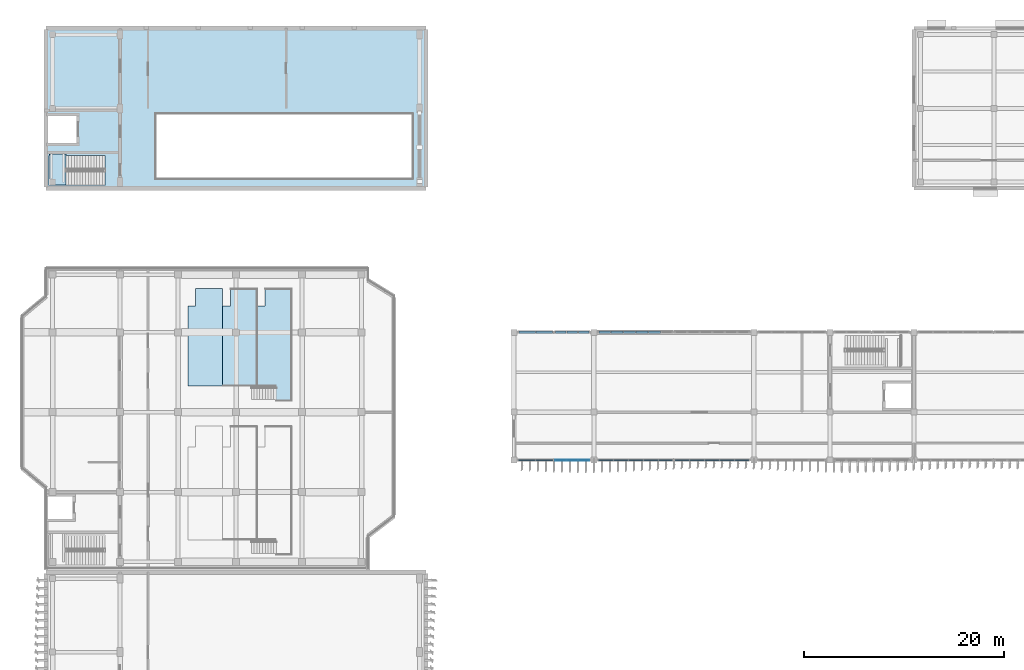
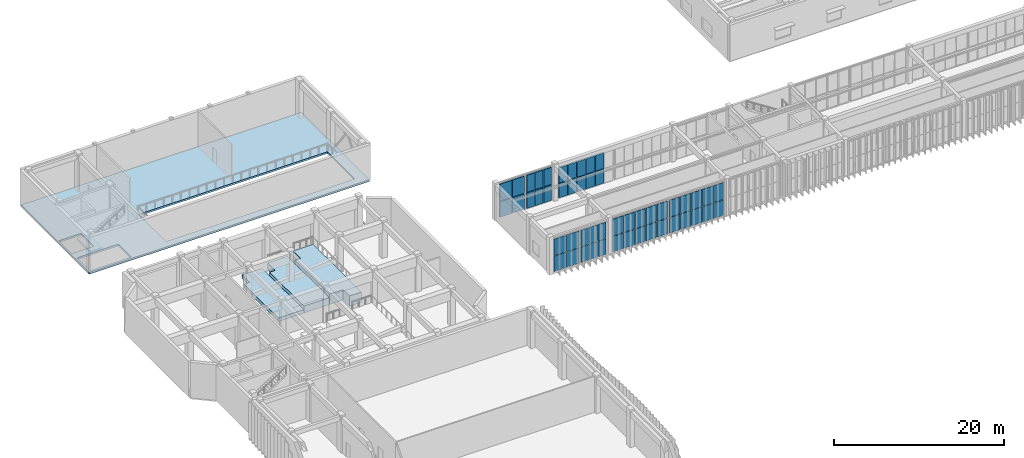
# One storey, part 29 of 64: 50 plates, 5 slabs, 8 elements without a shape of their own.
"""IFC4 building model written with IfcOpenShell, lengths in metres."""

from ifc_helpers import new_model, si_unit, direction, frame, origin, origin_2d, place, context, subcontext, project, spatial, polyline, rectangle, outline, extrude, material, layer, layer_set, type_object, element, aggregate, save


model = new_model("IFC4")

# Units and contexts
model_context = context("Model", 3, precision=1e-05, world=origin(), true_north=direction((0.0, 1.0)))
body_context = subcontext(model_context, "Body", "Model", "MODEL_VIEW")
ifc_project = project(units=[si_unit("LENGTHUNIT", "METRE"), si_unit("AREAUNIT", "SQUARE_METRE"), si_unit("VOLUMEUNIT", "CUBIC_METRE"), si_unit("PLANEANGLEUNIT", "RADIAN"), si_unit("MASSUNIT", "GRAM", prefix="KILO")], contexts=[model_context])

# Site, building, storey
site_placement = place(None, origin())
site = spatial("IfcSite", under=ifc_project, at=site_placement, CompositionType="ELEMENT")
building_placement = place(site_placement, origin())
building = spatial("IfcBuilding", under=site, at=building_placement, Name="Cinchona Park Media Centre", CompositionType="ELEMENT")
storey_placement = place(building_placement, frame((0.0, 0.0, 10.199951171875)))
storey = spatial("IfcBuildingStorey", under=building, at=storey_placement, Name="L02", CompositionType="ELEMENT", Elevation=10.199951171875)

# Curtain wall, plates
ifc_material_1 = material(Name="Aluminium Curtain Wall Framing", Category="aluminium")
ifc_layer_1 = layer(ifc_material_1, 0.22509765625)
ifc_layer_set_1 = layer_set([ifc_layer_1], Name="Aluminium Curtain Wall Framing")
curtain_wall_type_1 = type_object("IfcCurtainWallType", Name="CW-CW04", PredefinedType="USERDEFINED", material=ifc_layer_set_1)
curtain_wall_1_placement = place(storey_placement, origin())
curtain_wall_1 = element("IfcCurtainWall", 1, at=curtain_wall_1_placement, inside=storey, type_object=curtain_wall_type_1, Name="Curtain Wall CW04 L02", ObjectType="UNITISED CURTAIN WALL", PredefinedType="USERDEFINED")
ifc_material_2 = material(Name="Laminated Solar-Control Double Glazing", Category="glass")
ifc_layer_2 = layer(ifc_material_2, 0.080078125)
ifc_layer_set_2 = layer_set([ifc_layer_2], Name="Laminated Solar-Control Double Glazing")
plate_type_1 = type_object("IfcPlateType", Name="CWPANEL-PNL07", PredefinedType="CURTAIN_PANEL", material=ifc_layer_set_2)
plate_1_placement = place(storey_placement, frame((61.780517578125, 74.800048828125, 0.115234375), z_axis=(0.0, 0.0, 1.0), x_axis=(-1.0, 0.0, 0.0)))
plate_1 = element("IfcPlate", 2, at=plate_1_placement, type_object=plate_type_1, Name="CW04 panel 1.1", PredefinedType="CURTAIN_PANEL", context=body_context, shape_type="SweptSolid", body=[
    extrude(rectangle(XDim=1.069091796875, YDim=0.080078125, at=origin_2d()), origin(), (0.0, 0.0, 1.0), 2.181396484375),
])
plate_2_placement = place(storey_placement, frame((61.780517578125, 74.800048828125, 2.361572265625), z_axis=(0.0, 0.0, 1.0), x_axis=(-1.0, 0.0, 0.0)))
plate_2 = element("IfcPlate", 3, at=plate_2_placement, type_object=plate_type_1, Name="CW04 panel 1.2", PredefinedType="CURTAIN_PANEL", context=body_context, shape_type="SweptSolid", body=[
    extrude(rectangle(XDim=1.069091796875, YDim=0.080078125, at=origin_2d()), origin(), (0.0, 0.0, 1.0), 2.37060546875),
])
plate_3_placement = place(storey_placement, frame((60.6298828125, 74.800048828125, 0.115234375), z_axis=(0.0, 0.0, 1.0), x_axis=(-1.0, 0.0, 0.0)))
plate_3 = element("IfcPlate", 4, at=plate_3_placement, type_object=plate_type_1, Name="CW04 panel 2.1", PredefinedType="CURTAIN_PANEL", context=body_context, shape_type="SweptSolid", body=[
    extrude(rectangle(XDim=1.1015625, YDim=0.080078125, at=origin_2d()), origin(), (0.0, 0.0, 1.0), 2.181396484375),
])
plate_4_placement = place(storey_placement, frame((60.6298828125, 74.800048828125, 2.361572265625), z_axis=(0.0, 0.0, 1.0), x_axis=(-1.0, 0.0, 0.0)))
plate_4 = element("IfcPlate", 5, at=plate_4_placement, type_object=plate_type_1, Name="CW04 panel 2.2", PredefinedType="CURTAIN_PANEL", context=body_context, shape_type="SweptSolid", body=[
    extrude(rectangle(XDim=1.1015625, YDim=0.080078125, at=origin_2d()), origin(), (0.0, 0.0, 1.0), 2.37060546875),
])
plate_5_placement = place(storey_placement, frame((59.4794921875, 74.800048828125, 0.115234375), z_axis=(0.0, 0.0, 1.0), x_axis=(-1.0, 0.0, 0.0)))
plate_5 = element("IfcPlate", 6, at=plate_5_placement, type_object=plate_type_1, Name="CW04 panel 3.1", PredefinedType="CURTAIN_PANEL", context=body_context, shape_type="SweptSolid", body=[
    extrude(rectangle(XDim=1.069091796875, YDim=0.080078125, at=origin_2d()), origin(), (0.0, 0.0, 1.0), 2.181396484375),
])
plate_6_placement = place(storey_placement, frame((59.4794921875, 74.800048828125, 2.361572265625), z_axis=(0.0, 0.0, 1.0), x_axis=(-1.0, 0.0, 0.0)))
plate_6 = element("IfcPlate", 7, at=plate_6_placement, type_object=plate_type_1, Name="CW04 panel 3.2", PredefinedType="CURTAIN_PANEL", context=body_context, shape_type="SweptSolid", body=[
    extrude(rectangle(XDim=1.069091796875, YDim=0.080078125, at=origin_2d()), origin(), (0.0, 0.0, 1.0), 2.37060546875),
])
aggregate(curtain_wall_1, [plate_1, plate_2, plate_3, plate_4, plate_5, plate_6])

ifc_material_3 = material(Name="Aluminium Curtain Wall Framing", Category="aluminium")
ifc_layer_3 = layer(ifc_material_3, 0.239990234375)
ifc_layer_set_3 = layer_set([ifc_layer_3], Name="Aluminium Curtain Wall Framing")
curtain_wall_type_2 = type_object("IfcCurtainWallType", Name="CW-CW05", PredefinedType="USERDEFINED", material=ifc_layer_set_3)
curtain_wall_2_placement = place(storey_placement, origin())
curtain_wall_2 = element("IfcCurtainWall", 8, at=curtain_wall_2_placement, inside=storey, type_object=curtain_wall_type_2, Name="Curtain Wall CW05 L02", ObjectType="UNITISED CURTAIN WALL", PredefinedType="USERDEFINED")
ifc_material_4 = material(Name="Insulated Acoustic Aluminium-Glass Spandrel Cassette", Category="aluminium")
ifc_layer_4 = layer(ifc_material_4, 0.10009765625)
ifc_layer_set_4 = layer_set([ifc_layer_4], Name="Insulated Acoustic Aluminium-Glass Spandrel Cassette")
plate_type_2 = type_object("IfcPlateType", Name="CWPANEL-PNL09", PredefinedType="CURTAIN_PANEL", material=ifc_layer_set_4)
plate_7_placement = place(storey_placement, frame((57.828857421875, 74.800048828125, 0.115234375), z_axis=(0.0, 0.0, 1.0), x_axis=(-1.0, 0.0, 0.0)))
plate_7 = element("IfcPlate", 9, at=plate_7_placement, type_object=plate_type_2, Name="CW05 panel 1.1", PredefinedType="CURTAIN_PANEL", context=body_context, shape_type="SweptSolid", body=[
    extrude(rectangle(XDim=1.652587890625, YDim=0.10009765625, at=origin_2d()), origin(), (0.0, 0.0, 1.0), 2.181396484375),
])
plate_8_placement = place(storey_placement, frame((57.828857421875, 74.800048828125, 2.361572265625), z_axis=(0.0, 0.0, 1.0), x_axis=(-1.0, 0.0, 0.0)))
plate_8 = element("IfcPlate", 10, at=plate_8_placement, type_object=plate_type_2, Name="CW05 panel 1.2", PredefinedType="CURTAIN_PANEL", context=body_context, shape_type="SweptSolid", body=[
    extrude(rectangle(XDim=1.652587890625, YDim=0.10009765625, at=origin_2d()), origin(), (0.0, 0.0, 1.0), 2.37060546875),
])
plate_9_placement = place(storey_placement, frame((56.111328125, 74.800048828125, 0.115234375), z_axis=(0.0, 0.0, 1.0), x_axis=(-1.0, 0.0, 0.0)))
plate_9 = element("IfcPlate", 11, at=plate_9_placement, type_object=plate_type_2, Name="CW05 panel 2.1", PredefinedType="CURTAIN_PANEL", context=body_context, shape_type="SweptSolid", body=[
    extrude(rectangle(XDim=1.652587890625, YDim=0.10009765625, at=origin_2d()), origin(), (0.0, 0.0, 1.0), 2.181396484375),
])
plate_10_placement = place(storey_placement, frame((56.111328125, 74.800048828125, 2.361572265625), z_axis=(0.0, 0.0, 1.0), x_axis=(-1.0, 0.0, 0.0)))
plate_10 = element("IfcPlate", 12, at=plate_10_placement, type_object=plate_type_2, Name="CW05 panel 2.2", PredefinedType="CURTAIN_PANEL", context=body_context, shape_type="SweptSolid", body=[
    extrude(rectangle(XDim=1.652587890625, YDim=0.10009765625, at=origin_2d()), origin(), (0.0, 0.0, 1.0), 2.37060546875),
])
aggregate(curtain_wall_2, [plate_7, plate_8, plate_9, plate_10])

ifc_material_5 = material(Name="Aluminium Curtain Wall Framing", Category="aluminium")
ifc_layer_5 = layer(ifc_material_5, 0.2548828125)
ifc_layer_set_5 = layer_set([ifc_layer_5], Name="Aluminium Curtain Wall Framing")
curtain_wall_type_3 = type_object("IfcCurtainWallType", Name="CW-CW06", PredefinedType="USERDEFINED", material=ifc_layer_set_5)
curtain_wall_3_placement = place(storey_placement, origin())
curtain_wall_3 = element("IfcCurtainWall", 13, at=curtain_wall_3_placement, inside=storey, type_object=curtain_wall_type_3, Name="Curtain Wall CW06 L02", ObjectType="UNITISED CURTAIN WALL", PredefinedType="USERDEFINED")
ifc_material_6 = material(Name="Insulated Acoustic Aluminium-Glass Spandrel Cassette", Category="aluminium")
ifc_layer_6 = layer(ifc_material_6, 0.110107421875)
ifc_layer_set_6 = layer_set([ifc_layer_6], Name="Insulated Acoustic Aluminium-Glass Spandrel Cassette")
plate_type_3 = type_object("IfcPlateType", Name="CWPANEL-PNL10", PredefinedType="CURTAIN_PANEL", material=ifc_layer_set_6)
plate_11_placement = place(storey_placement, frame((77.611328125, 74.800048828125, 0.125), z_axis=(0.0, 0.0, 1.0), x_axis=(-1.0, 0.0, 0.0)))
plate_11 = element("IfcPlate", 14, at=plate_11_placement, type_object=plate_type_3, Name="CW06 panel 1.1", PredefinedType="CURTAIN_PANEL", context=body_context, shape_type="SweptSolid", body=[
    extrude(rectangle(XDim=1.387451171875, YDim=0.110107421875, at=origin_2d()), origin(), (0.0, 0.0, 1.0), 2.219482421875),
])
plate_12_placement = place(storey_placement, frame((77.611328125, 74.800048828125, 2.41943359375), z_axis=(0.0, 0.0, 1.0), x_axis=(-1.0, 0.0, 0.0)))
plate_12 = element("IfcPlate", 15, at=plate_12_placement, type_object=plate_type_3, Name="CW06 panel 1.2", PredefinedType="CURTAIN_PANEL", context=body_context, shape_type="SweptSolid", body=[
    extrude(rectangle(XDim=1.387451171875, YDim=0.110107421875, at=origin_2d()), origin(), (0.0, 0.0, 1.0), 2.41357421875),
])
plate_13_placement = place(storey_placement, frame((76.1298828125, 74.800048828125, 0.125), z_axis=(0.0, 0.0, 1.0), x_axis=(-1.0, 0.0, 0.0)))
plate_13 = element("IfcPlate", 16, at=plate_13_placement, type_object=plate_type_3, Name="CW06 panel 2.1", PredefinedType="CURTAIN_PANEL", context=body_context, shape_type="SweptSolid", body=[
    extrude(rectangle(XDim=1.425048828125, YDim=0.110107421875, at=origin_2d()), origin(), (0.0, 0.0, 1.0), 2.219482421875),
])
plate_14_placement = place(storey_placement, frame((76.1298828125, 74.800048828125, 2.41943359375), z_axis=(0.0, 0.0, 1.0), x_axis=(-1.0, 0.0, 0.0)))
plate_14 = element("IfcPlate", 17, at=plate_14_placement, type_object=plate_type_3, Name="CW06 panel 2.2", PredefinedType="CURTAIN_PANEL", context=body_context, shape_type="SweptSolid", body=[
    extrude(rectangle(XDim=1.425048828125, YDim=0.110107421875, at=origin_2d()), origin(), (0.0, 0.0, 1.0), 2.41357421875),
])
plate_15_placement = place(storey_placement, frame((74.6298828125, 74.800048828125, 0.125), z_axis=(0.0, 0.0, 1.0), x_axis=(-1.0, 0.0, 0.0)))
plate_15 = element("IfcPlate", 18, at=plate_15_placement, type_object=plate_type_3, Name="CW06 panel 3.1", PredefinedType="CURTAIN_PANEL", context=body_context, shape_type="SweptSolid", body=[
    extrude(rectangle(XDim=1.425048828125, YDim=0.110107421875, at=origin_2d()), origin(), (0.0, 0.0, 1.0), 2.219482421875),
])
plate_16_placement = place(storey_placement, frame((74.6298828125, 74.800048828125, 2.41943359375), z_axis=(0.0, 0.0, 1.0), x_axis=(-1.0, 0.0, 0.0)))
plate_16 = element("IfcPlate", 19, at=plate_16_placement, type_object=plate_type_3, Name="CW06 panel 3.2", PredefinedType="CURTAIN_PANEL", context=body_context, shape_type="SweptSolid", body=[
    extrude(rectangle(XDim=1.425048828125, YDim=0.110107421875, at=origin_2d()), origin(), (0.0, 0.0, 1.0), 2.41357421875),
])
plate_17_placement = place(storey_placement, frame((73.1298828125, 74.800048828125, 0.125), z_axis=(0.0, 0.0, 1.0), x_axis=(-1.0, 0.0, 0.0)))
plate_17 = element("IfcPlate", 20, at=plate_17_placement, type_object=plate_type_3, Name="CW06 panel 4.1", PredefinedType="CURTAIN_PANEL", context=body_context, shape_type="SweptSolid", body=[
    extrude(rectangle(XDim=1.425048828125, YDim=0.110107421875, at=origin_2d()), origin(), (0.0, 0.0, 1.0), 2.219482421875),
])
plate_18_placement = place(storey_placement, frame((73.1298828125, 74.800048828125, 2.41943359375), z_axis=(0.0, 0.0, 1.0), x_axis=(-1.0, 0.0, 0.0)))
plate_18 = element("IfcPlate", 21, at=plate_18_placement, type_object=plate_type_3, Name="CW06 panel 4.2", PredefinedType="CURTAIN_PANEL", context=body_context, shape_type="SweptSolid", body=[
    extrude(rectangle(XDim=1.425048828125, YDim=0.110107421875, at=origin_2d()), origin(), (0.0, 0.0, 1.0), 2.41357421875),
])
plate_19_placement = place(storey_placement, frame((71.648681640625, 74.800048828125, 0.125), z_axis=(0.0, 0.0, 1.0), x_axis=(-1.0, 0.0, 0.0)))
plate_19 = element("IfcPlate", 22, at=plate_19_placement, type_object=plate_type_3, Name="CW06 panel 5.1", PredefinedType="CURTAIN_PANEL", context=body_context, shape_type="SweptSolid", body=[
    extrude(rectangle(XDim=1.387451171875, YDim=0.110107421875, at=origin_2d()), origin(), (0.0, 0.0, 1.0), 2.219482421875),
])
plate_20_placement = place(storey_placement, frame((71.648681640625, 74.800048828125, 2.41943359375), z_axis=(0.0, 0.0, 1.0), x_axis=(-1.0, 0.0, 0.0)))
plate_20 = element("IfcPlate", 23, at=plate_20_placement, type_object=plate_type_3, Name="CW06 panel 5.2", PredefinedType="CURTAIN_PANEL", context=body_context, shape_type="SweptSolid", body=[
    extrude(rectangle(XDim=1.387451171875, YDim=0.110107421875, at=origin_2d()), origin(), (0.0, 0.0, 1.0), 2.41357421875),
])
aggregate(curtain_wall_3, [plate_11, plate_12, plate_13, plate_14, plate_15, plate_16, plate_17, plate_18, plate_19, plate_20])

ifc_material_7 = material(Name="Aluminium Curtain Wall Framing", Category="aluminium")
ifc_layer_7 = layer(ifc_material_7, 0.27001953125)
ifc_layer_set_7 = layer_set([ifc_layer_7], Name="Aluminium Curtain Wall Framing")
curtain_wall_type_4 = type_object("IfcCurtainWallType", Name="CW-CW07", PredefinedType="USERDEFINED", material=ifc_layer_set_7)
curtain_wall_4_placement = place(storey_placement, origin())
curtain_wall_4 = element("IfcCurtainWall", 24, at=curtain_wall_4_placement, inside=storey, type_object=curtain_wall_type_4, Name="Curtain Wall CW07 L02", ObjectType="UNITISED CURTAIN WALL", PredefinedType="USERDEFINED")
ifc_material_8 = material(Name="Insulated Acoustic Aluminium-Glass Spandrel Cassette", Category="aluminium")
ifc_layer_8 = layer(ifc_material_8, 0.1298828125)
ifc_layer_set_8 = layer_set([ifc_layer_8], Name="Insulated Acoustic Aluminium-Glass Spandrel Cassette")
plate_type_4 = type_object("IfcPlateType", Name="CWPANEL-PNL12", PredefinedType="CURTAIN_PANEL", material=ifc_layer_set_8)
plate_21_placement = place(storey_placement, frame((69.951171875, 74.800048828125, 0.125), z_axis=(0.0, 0.0, 1.0), x_axis=(-1.0, 0.0, 0.0)))
plate_21 = element("IfcPlate", 25, at=plate_21_placement, type_object=plate_type_4, Name="CW07 panel 1.1", PredefinedType="CURTAIN_PANEL", context=body_context, shape_type="SweptSolid", body=[
    extrude(rectangle(XDim=1.387451171875, YDim=0.1298828125, at=origin_2d()), origin(), (0.0, 0.0, 1.0), 2.219482421875),
])
plate_22_placement = place(storey_placement, frame((69.951171875, 74.800048828125, 2.41943359375), z_axis=(0.0, 0.0, 1.0), x_axis=(-1.0, 0.0, 0.0)))
plate_22 = element("IfcPlate", 26, at=plate_22_placement, type_object=plate_type_4, Name="CW07 panel 1.2", PredefinedType="CURTAIN_PANEL", context=body_context, shape_type="SweptSolid", body=[
    extrude(rectangle(XDim=1.387451171875, YDim=0.1298828125, at=origin_2d()), origin(), (0.0, 0.0, 1.0), 2.41357421875),
])
plate_23_placement = place(storey_placement, frame((68.469970703125, 74.800048828125, 0.125), z_axis=(0.0, 0.0, 1.0), x_axis=(-1.0, 0.0, 0.0)))
plate_23 = element("IfcPlate", 27, at=plate_23_placement, type_object=plate_type_4, Name="CW07 panel 2.1", PredefinedType="CURTAIN_PANEL", context=body_context, shape_type="SweptSolid", body=[
    extrude(rectangle(XDim=1.425048828125, YDim=0.1298828125, at=origin_2d()), origin(), (0.0, 0.0, 1.0), 2.219482421875),
])
plate_24_placement = place(storey_placement, frame((68.469970703125, 74.800048828125, 2.41943359375), z_axis=(0.0, 0.0, 1.0), x_axis=(-1.0, 0.0, 0.0)))
plate_24 = element("IfcPlate", 28, at=plate_24_placement, type_object=plate_type_4, Name="CW07 panel 2.2", PredefinedType="CURTAIN_PANEL", context=body_context, shape_type="SweptSolid", body=[
    extrude(rectangle(XDim=1.425048828125, YDim=0.1298828125, at=origin_2d()), origin(), (0.0, 0.0, 1.0), 2.41357421875),
])
plate_25_placement = place(storey_placement, frame((66.969970703125, 74.800048828125, 0.125), z_axis=(0.0, 0.0, 1.0), x_axis=(-1.0, 0.0, 0.0)))
plate_25 = element("IfcPlate", 29, at=plate_25_placement, type_object=plate_type_4, Name="CW07 panel 3.1", PredefinedType="CURTAIN_PANEL", context=body_context, shape_type="SweptSolid", body=[
    extrude(rectangle(XDim=1.425048828125, YDim=0.1298828125, at=origin_2d()), origin(), (0.0, 0.0, 1.0), 2.219482421875),
])
plate_26_placement = place(storey_placement, frame((66.969970703125, 74.800048828125, 2.41943359375), z_axis=(0.0, 0.0, 1.0), x_axis=(-1.0, 0.0, 0.0)))
plate_26 = element("IfcPlate", 30, at=plate_26_placement, type_object=plate_type_4, Name="CW07 panel 3.2", PredefinedType="CURTAIN_PANEL", context=body_context, shape_type="SweptSolid", body=[
    extrude(rectangle(XDim=1.425048828125, YDim=0.1298828125, at=origin_2d()), origin(), (0.0, 0.0, 1.0), 2.41357421875),
])
plate_27_placement = place(storey_placement, frame((65.469970703125, 74.800048828125, 0.125), z_axis=(0.0, 0.0, 1.0), x_axis=(-1.0, 0.0, 0.0)))
plate_27 = element("IfcPlate", 31, at=plate_27_placement, type_object=plate_type_4, Name="CW07 panel 4.1", PredefinedType="CURTAIN_PANEL", context=body_context, shape_type="SweptSolid", body=[
    extrude(rectangle(XDim=1.425048828125, YDim=0.1298828125, at=origin_2d()), origin(), (0.0, 0.0, 1.0), 2.219482421875),
])
plate_28_placement = place(storey_placement, frame((65.469970703125, 74.800048828125, 2.41943359375), z_axis=(0.0, 0.0, 1.0), x_axis=(-1.0, 0.0, 0.0)))
plate_28 = element("IfcPlate", 32, at=plate_28_placement, type_object=plate_type_4, Name="CW07 panel 4.2", PredefinedType="CURTAIN_PANEL", context=body_context, shape_type="SweptSolid", body=[
    extrude(rectangle(XDim=1.425048828125, YDim=0.1298828125, at=origin_2d()), origin(), (0.0, 0.0, 1.0), 2.41357421875),
])
plate_29_placement = place(storey_placement, frame((63.98876953125, 74.800048828125, 0.125), z_axis=(0.0, 0.0, 1.0), x_axis=(-1.0, 0.0, 0.0)))
plate_29 = element("IfcPlate", 33, at=plate_29_placement, type_object=plate_type_4, Name="CW07 panel 5.1", PredefinedType="CURTAIN_PANEL", context=body_context, shape_type="SweptSolid", body=[
    extrude(rectangle(XDim=1.387451171875, YDim=0.1298828125, at=origin_2d()), origin(), (0.0, 0.0, 1.0), 2.219482421875),
])
plate_30_placement = place(storey_placement, frame((63.98876953125, 74.800048828125, 2.41943359375), z_axis=(0.0, 0.0, 1.0), x_axis=(-1.0, 0.0, 0.0)))
plate_30 = element("IfcPlate", 34, at=plate_30_placement, type_object=plate_type_4, Name="CW07 panel 5.2", PredefinedType="CURTAIN_PANEL", context=body_context, shape_type="SweptSolid", body=[
    extrude(rectangle(XDim=1.387451171875, YDim=0.1298828125, at=origin_2d()), origin(), (0.0, 0.0, 1.0), 2.41357421875),
])
aggregate(curtain_wall_4, [plate_21, plate_22, plate_23, plate_24, plate_25, plate_26, plate_27, plate_28, plate_29, plate_30])

ifc_material_9 = material(Name="Aluminium Curtain Wall Framing", Category="aluminium")
ifc_layer_9 = layer(ifc_material_9, 0.300048828125)
ifc_layer_set_9 = layer_set([ifc_layer_9], Name="Aluminium Curtain Wall Framing")
curtain_wall_type_5 = type_object("IfcCurtainWallType", Name="CW-CW09", PredefinedType="USERDEFINED", material=ifc_layer_set_9)
curtain_wall_5_placement = place(storey_placement, origin())
curtain_wall_5 = element("IfcCurtainWall", 35, at=curtain_wall_5_placement, inside=storey, type_object=curtain_wall_type_5, Name="Curtain Wall CW09 L02", ObjectType="UNITISED CURTAIN WALL", PredefinedType="USERDEFINED")
ifc_material_10 = material(Name="Insulated Acoustic Aluminium-Glass Spandrel Cassette", Category="aluminium")
ifc_layer_10 = layer(ifc_material_10, 0.2099609375)
ifc_layer_set_10 = layer_set([ifc_layer_10], Name="Insulated Acoustic Aluminium-Glass Spandrel Cassette")
plate_type_5 = type_object("IfcPlateType", Name="CWPANEL-PNL20", PredefinedType="CURTAIN_PANEL", material=ifc_layer_set_10)
plate_31_placement = place(storey_placement, frame((56.11376953125, 87.60009765625, 0.125), z_axis=(0.0, 0.0, 1.0), x_axis=(1.0, 0.0, 0.0)))
plate_31 = element("IfcPlate", 36, at=plate_31_placement, type_object=plate_type_5, Name="CW09 panel 1.1", PredefinedType="CURTAIN_PANEL", context=body_context, shape_type="SweptSolid", body=[
    extrude(rectangle(XDim=1.637451171875, YDim=0.2099609375, at=origin_2d()), origin(), (0.0, 0.0, 1.0), 2.242431640625),
])
plate_32_placement = place(storey_placement, frame((56.11376953125, 87.60009765625, 2.442626953125), z_axis=(0.0, 0.0, 1.0), x_axis=(1.0, 0.0, 0.0)))
plate_32 = element("IfcPlate", 37, at=plate_32_placement, type_object=plate_type_5, Name="CW09 panel 1.2", PredefinedType="CURTAIN_PANEL", context=body_context, shape_type="SweptSolid", body=[
    extrude(rectangle(XDim=1.637451171875, YDim=0.2099609375, at=origin_2d()), origin(), (0.0, 0.0, 1.0), 2.439453125),
])
plate_33_placement = place(storey_placement, frame((57.826171875, 87.60009765625, 0.125), z_axis=(0.0, 0.0, 1.0), x_axis=(1.0, 0.0, 0.0)))
plate_33 = element("IfcPlate", 38, at=plate_33_placement, type_object=plate_type_5, Name="CW09 panel 2.1", PredefinedType="CURTAIN_PANEL", context=body_context, shape_type="SweptSolid", body=[
    extrude(rectangle(XDim=1.637451171875, YDim=0.2099609375, at=origin_2d()), origin(), (0.0, 0.0, 1.0), 2.242431640625),
])
plate_34_placement = place(storey_placement, frame((57.826171875, 87.60009765625, 2.442626953125), z_axis=(0.0, 0.0, 1.0), x_axis=(1.0, 0.0, 0.0)))
plate_34 = element("IfcPlate", 39, at=plate_34_placement, type_object=plate_type_5, Name="CW09 panel 2.2", PredefinedType="CURTAIN_PANEL", context=body_context, shape_type="SweptSolid", body=[
    extrude(rectangle(XDim=1.637451171875, YDim=0.2099609375, at=origin_2d()), origin(), (0.0, 0.0, 1.0), 2.439453125),
])
aggregate(curtain_wall_5, [plate_31, plate_32, plate_33, plate_34])

ifc_material_11 = material(Name="Aluminium Curtain Wall Framing", Category="aluminium")
ifc_layer_11 = layer(ifc_material_11, 0.179931640625)
ifc_layer_set_11 = layer_set([ifc_layer_11], Name="Aluminium Curtain Wall Framing")
curtain_wall_type_6 = type_object("IfcCurtainWallType", Name="CW-CW01", PredefinedType="USERDEFINED", material=ifc_layer_set_11)
curtain_wall_6_placement = place(storey_placement, origin())
curtain_wall_6 = element("IfcCurtainWall", 40, at=curtain_wall_6_placement, inside=storey, type_object=curtain_wall_type_6, Name="Curtain Wall CW01 L02", ObjectType="UNITISED CURTAIN WALL", PredefinedType="USERDEFINED")
ifc_material_12 = material(Name="Insulated Acoustic Aluminium-Glass Spandrel Cassette", Category="aluminium")
ifc_layer_12 = layer(ifc_material_12, 0.22998046875)
ifc_layer_set_12 = layer_set([ifc_layer_12], Name="Insulated Acoustic Aluminium-Glass Spandrel Cassette")
plate_type_6 = type_object("IfcPlateType", Name="CWPANEL-PNL22", PredefinedType="CURTAIN_PANEL", material=ifc_layer_set_12)
plate_35_placement = place(storey_placement, frame((59.482177734375, 87.60009765625, 0.125), z_axis=(0.0, 0.0, 1.0), x_axis=(1.0, 0.0, 0.0)))
plate_35 = element("IfcPlate", 41, at=plate_35_placement, type_object=plate_type_6, Name="CW01 panel 1.1", PredefinedType="CURTAIN_PANEL", context=body_context, shape_type="SweptSolid", body=[
    extrude(rectangle(XDim=1.05419921875, YDim=0.22998046875, at=origin_2d()), origin(), (0.0, 0.0, 1.0), 2.242431640625),
])
plate_36_placement = place(storey_placement, frame((59.482177734375, 87.60009765625, 2.442626953125), z_axis=(0.0, 0.0, 1.0), x_axis=(1.0, 0.0, 0.0)))
plate_36 = element("IfcPlate", 42, at=plate_36_placement, type_object=plate_type_6, Name="CW01 panel 1.2", PredefinedType="CURTAIN_PANEL", context=body_context, shape_type="SweptSolid", body=[
    extrude(rectangle(XDim=1.05419921875, YDim=0.22998046875, at=origin_2d()), origin(), (0.0, 0.0, 1.0), 2.439453125),
])
plate_37_placement = place(storey_placement, frame((60.6298828125, 87.60009765625, 0.125), z_axis=(0.0, 0.0, 1.0), x_axis=(1.0, 0.0, 0.0)))
plate_37 = element("IfcPlate", 43, at=plate_37_placement, type_object=plate_type_6, Name="CW01 panel 2.1", PredefinedType="CURTAIN_PANEL", context=body_context, shape_type="SweptSolid", body=[
    extrude(rectangle(XDim=1.091552734375, YDim=0.22998046875, at=origin_2d()), origin(), (0.0, 0.0, 1.0), 2.242431640625),
])
plate_38_placement = place(storey_placement, frame((60.6298828125, 87.60009765625, 2.442626953125), z_axis=(0.0, 0.0, 1.0), x_axis=(1.0, 0.0, 0.0)))
plate_38 = element("IfcPlate", 44, at=plate_38_placement, type_object=plate_type_6, Name="CW01 panel 2.2", PredefinedType="CURTAIN_PANEL", context=body_context, shape_type="SweptSolid", body=[
    extrude(rectangle(XDim=1.091552734375, YDim=0.22998046875, at=origin_2d()), origin(), (0.0, 0.0, 1.0), 2.439453125),
])
plate_39_placement = place(storey_placement, frame((61.77783203125, 87.60009765625, 0.125), z_axis=(0.0, 0.0, 1.0), x_axis=(1.0, 0.0, 0.0)))
plate_39 = element("IfcPlate", 45, at=plate_39_placement, type_object=plate_type_6, Name="CW01 panel 3.1", PredefinedType="CURTAIN_PANEL", context=body_context, shape_type="SweptSolid", body=[
    extrude(rectangle(XDim=1.05419921875, YDim=0.22998046875, at=origin_2d()), origin(), (0.0, 0.0, 1.0), 2.242431640625),
])
plate_40_placement = place(storey_placement, frame((61.77783203125, 87.60009765625, 2.442626953125), z_axis=(0.0, 0.0, 1.0), x_axis=(1.0, 0.0, 0.0)))
plate_40 = element("IfcPlate", 46, at=plate_40_placement, type_object=plate_type_6, Name="CW01 panel 3.2", PredefinedType="CURTAIN_PANEL", context=body_context, shape_type="SweptSolid", body=[
    extrude(rectangle(XDim=1.05419921875, YDim=0.22998046875, at=origin_2d()), origin(), (0.0, 0.0, 1.0), 2.439453125),
])
aggregate(curtain_wall_6, [plate_35, plate_36, plate_37, plate_38, plate_39, plate_40])

ifc_material_13 = material(Name="Aluminium Curtain Wall Framing", Category="aluminium")
ifc_layer_13 = layer(ifc_material_13, 0.195068359375)
ifc_layer_set_13 = layer_set([ifc_layer_13], Name="Aluminium Curtain Wall Framing")
curtain_wall_type_7 = type_object("IfcCurtainWallType", Name="CW-CW02", PredefinedType="USERDEFINED", material=ifc_layer_set_13)
curtain_wall_7_placement = place(storey_placement, origin())
curtain_wall_7 = element("IfcCurtainWall", 47, at=curtain_wall_7_placement, inside=storey, type_object=curtain_wall_type_7, Name="Curtain Wall CW02 L02", ObjectType="UNITISED CURTAIN WALL", PredefinedType="USERDEFINED")
ifc_material_14 = material(Name="Insulated Acoustic Aluminium-Glass Spandrel Cassette", Category="aluminium")
ifc_layer_14 = layer(ifc_material_14, 0.239990234375)
ifc_layer_set_14 = layer_set([ifc_layer_14], Name="Insulated Acoustic Aluminium-Glass Spandrel Cassette")
plate_type_7 = type_object("IfcPlateType", Name="CWPANEL-PNL23", PredefinedType="CURTAIN_PANEL", material=ifc_layer_set_14)
plate_41_placement = place(storey_placement, frame((63.862548828125, 87.60009765625, 0.1201171875), z_axis=(0.0, 0.0, 1.0), x_axis=(1.0, 0.0, 0.0)))
plate_41 = element("IfcPlate", 48, at=plate_41_placement, type_object=plate_type_7, Name="CW02 panel 1.1", PredefinedType="CURTAIN_PANEL", context=body_context, shape_type="SweptSolid", body=[
    extrude(rectangle(XDim=1.14501953125, YDim=0.239990234375, at=origin_2d()), origin(), (0.0, 0.0, 1.0), 2.035888671875),
])
plate_42_placement = place(storey_placement, frame((63.862548828125, 87.60009765625, 2.22607421875), z_axis=(0.0, 0.0, 1.0), x_axis=(1.0, 0.0, 0.0)))
plate_42 = element("IfcPlate", 49, at=plate_42_placement, type_object=plate_type_7, Name="CW02 panel 1.2", PredefinedType="CURTAIN_PANEL", context=body_context, shape_type="SweptSolid", body=[
    extrude(rectangle(XDim=1.14501953125, YDim=0.239990234375, at=origin_2d()), origin(), (0.0, 0.0, 1.0), 2.214111328125),
])
plate_43_placement = place(storey_placement, frame((65.094970703125, 87.60009765625, 0.1201171875), z_axis=(0.0, 0.0, 1.0), x_axis=(1.0, 0.0, 0.0)))
plate_43 = element("IfcPlate", 50, at=plate_43_placement, type_object=plate_type_7, Name="CW02 panel 2.1", PredefinedType="CURTAIN_PANEL", context=body_context, shape_type="SweptSolid", body=[
    extrude(rectangle(XDim=1.179931640625, YDim=0.239990234375, at=origin_2d()), origin(), (0.0, 0.0, 1.0), 2.035888671875),
])
plate_44_placement = place(storey_placement, frame((65.094970703125, 87.60009765625, 2.22607421875), z_axis=(0.0, 0.0, 1.0), x_axis=(1.0, 0.0, 0.0)))
plate_44 = element("IfcPlate", 51, at=plate_44_placement, type_object=plate_type_7, Name="CW02 panel 2.2", PredefinedType="CURTAIN_PANEL", context=body_context, shape_type="SweptSolid", body=[
    extrude(rectangle(XDim=1.179931640625, YDim=0.239990234375, at=origin_2d()), origin(), (0.0, 0.0, 1.0), 2.214111328125),
])
plate_45_placement = place(storey_placement, frame((66.344970703125, 87.60009765625, 0.1201171875), z_axis=(0.0, 0.0, 1.0), x_axis=(1.0, 0.0, 0.0)))
plate_45 = element("IfcPlate", 52, at=plate_45_placement, type_object=plate_type_7, Name="CW02 panel 3.1", PredefinedType="CURTAIN_PANEL", context=body_context, shape_type="SweptSolid", body=[
    extrude(rectangle(XDim=1.179931640625, YDim=0.239990234375, at=origin_2d()), origin(), (0.0, 0.0, 1.0), 2.035888671875),
])
plate_46_placement = place(storey_placement, frame((66.344970703125, 87.60009765625, 2.22607421875), z_axis=(0.0, 0.0, 1.0), x_axis=(1.0, 0.0, 0.0)))
plate_46 = element("IfcPlate", 53, at=plate_46_placement, type_object=plate_type_7, Name="CW02 panel 3.2", PredefinedType="CURTAIN_PANEL", context=body_context, shape_type="SweptSolid", body=[
    extrude(rectangle(XDim=1.179931640625, YDim=0.239990234375, at=origin_2d()), origin(), (0.0, 0.0, 1.0), 2.214111328125),
])
plate_47_placement = place(storey_placement, frame((67.594970703125, 87.60009765625, 0.1201171875), z_axis=(0.0, 0.0, 1.0), x_axis=(1.0, 0.0, 0.0)))
plate_47 = element("IfcPlate", 54, at=plate_47_placement, type_object=plate_type_7, Name="CW02 panel 4.1", PredefinedType="CURTAIN_PANEL", context=body_context, shape_type="SweptSolid", body=[
    extrude(rectangle(XDim=1.179931640625, YDim=0.239990234375, at=origin_2d()), origin(), (0.0, 0.0, 1.0), 2.035888671875),
])
plate_48_placement = place(storey_placement, frame((67.594970703125, 87.60009765625, 2.22607421875), z_axis=(0.0, 0.0, 1.0), x_axis=(1.0, 0.0, 0.0)))
plate_48 = element("IfcPlate", 55, at=plate_48_placement, type_object=plate_type_7, Name="CW02 panel 4.2", PredefinedType="CURTAIN_PANEL", context=body_context, shape_type="SweptSolid", body=[
    extrude(rectangle(XDim=1.179931640625, YDim=0.239990234375, at=origin_2d()), origin(), (0.0, 0.0, 1.0), 2.214111328125),
])
plate_49_placement = place(storey_placement, frame((68.844970703125, 87.60009765625, 0.1201171875), z_axis=(0.0, 0.0, 1.0), x_axis=(1.0, 0.0, 0.0)))
plate_49 = element("IfcPlate", 56, at=plate_49_placement, type_object=plate_type_7, Name="CW02 panel 5.1", PredefinedType="CURTAIN_PANEL", context=body_context, shape_type="SweptSolid", body=[
    extrude(rectangle(XDim=1.179931640625, YDim=0.239990234375, at=origin_2d()), origin(), (0.0, 0.0, 1.0), 2.035888671875),
])
plate_50_placement = place(storey_placement, frame((68.844970703125, 87.60009765625, 2.22607421875), z_axis=(0.0, 0.0, 1.0), x_axis=(1.0, 0.0, 0.0)))
plate_50 = element("IfcPlate", 57, at=plate_50_placement, type_object=plate_type_7, Name="CW02 panel 5.2", PredefinedType="CURTAIN_PANEL", context=body_context, shape_type="SweptSolid", body=[
    extrude(rectangle(XDim=1.179931640625, YDim=0.239990234375, at=origin_2d()), origin(), (0.0, 0.0, 1.0), 2.214111328125),
])
aggregate(curtain_wall_7, [plate_41, plate_42, plate_43, plate_44, plate_45, plate_46, plate_47, plate_48, plate_49, plate_50])

# Stair, slab
ifc_material_15 = material(Name="Concrete C35/45", Category="concrete")
stair_type = type_object("IfcStairType", Name="STAIR-ST4-HT54", PredefinedType="HALF_TURN_STAIR", material=ifc_material_15)
stair_placement = place(storey_placement, origin())
stair = element("IfcStair", 58, at=stair_placement, inside=storey, type_object=stair_type, Name="Exit Stair ST4 L02", PredefinedType="HALF_TURN_STAIR")
ifc_material_16 = material(Name="Concrete C35/45", Category="concrete")
ifc_layer_15 = layer(ifc_material_16, 0.205078125)
ifc_layer_set_15 = layer_set([ifc_layer_15], Name="Concrete C35/45")
slab_type_1 = type_object("IfcSlabType", Name="LANDING-LDG01", PredefinedType="LANDING", material=ifc_layer_set_15)
slab_1_placement = place(storey_placement, frame((0.0, 0.0, 2.4951171875)))
slab_1 = element("IfcSlab", 59, at=slab_1_placement, type_object=slab_type_1, Name="ST4 landing 1", PredefinedType="LANDING", context=body_context, shape_type="SweptSolid", body=[
    extrude(outline(polyline([(8.320068359375, 102.320068359375), (9.97998046875, 102.320068359375), (9.97998046875, 105.449951171875), (8.320068359375, 105.449951171875), (8.320068359375, 102.320068359375)])), origin(), (0.0, 0.0, 1.0), 0.204833984375),
])
aggregate(stair, [slab_1])

# Slabs
ifc_material_17 = material(Name="Concrete C35/45", Category="concrete")
ifc_layer_16 = layer(ifc_material_17, 0.260009765625)
ifc_layer_set_16 = layer_set([ifc_layer_16], Name="Concrete C35/45")
slab_type_2 = type_object("IfcSlabType", Name="SLAB-SL05-260", PredefinedType="FLOOR", material=ifc_layer_set_16)
slab_2_placement = place(storey_placement, frame((0.0, 0.0, -0.260009765625)))
element("IfcSlab", 60, at=slab_2_placement, inside=storey, type_object=slab_type_2, Name="Floor Slab V2 L02", PredefinedType="FLOOR", context=body_context, shape_type="SweptSolid", body=[
    extrude(outline(polyline([(8.0, 102.0), (46.0, 102.0), (46.0, 118.0), (8.0, 118.0), (8.0, 102.0)]), holes=[polyline([(8.300048828125, 102.300048828125), (13.864990234375, 102.300048828125), (13.864990234375, 105.300048828125), (8.300048828125, 105.300048828125), (8.300048828125, 102.300048828125)]), polyline([(8.199951171875, 106.39990234375), (11.199951171875, 106.39990234375), (11.199951171875, 109.39990234375), (8.199951171875, 109.39990234375), (8.199951171875, 106.39990234375)]), polyline([(19.0, 103.0), (44.60009765625, 103.0), (44.60009765625, 109.39990234375), (19.0, 109.39990234375), (19.0, 103.0)])]), origin(), (0.0, 0.0, 1.0), 0.260009765625),
])
ifc_material_18 = material(Name="Concrete C35/45", Category="concrete")
ifc_layer_17 = layer(ifc_material_18, 0.18994140625)
ifc_layer_set_17 = layer_set([ifc_layer_17], Name="Concrete C35/45")
slab_type_3 = type_object("IfcSlabType", Name="SLAB-STIER02-190", PredefinedType="USERDEFINED", material=ifc_layer_set_17)
slab_3_placement = place(storey_placement, origin())
element("IfcSlab", 61, at=slab_3_placement, inside=storey, type_object=slab_type_3, Name="Stand Repertory Cinema 5 Seating Tier 1", ObjectType="SEATING TIER", PredefinedType="USERDEFINED", context=body_context, shape_type="SweptSolid", body=[
    extrude(outline(polyline([(22.199951171875, 82.199951171875), (25.6669921875, 82.199951171875), (25.6669921875, 92.0), (22.962890625, 92.0), (22.962890625, 90.236083984375), (22.199951171875, 90.236083984375), (22.199951171875, 82.199951171875)])), origin(), (0.0, 0.0, 1.0), 0.5),
])
slab_4_placement = place(storey_placement, origin())
element("IfcSlab", 62, at=slab_4_placement, inside=storey, type_object=slab_type_3, Name="Stand Repertory Cinema 5 Seating Tier 2", ObjectType="SEATING TIER", PredefinedType="USERDEFINED", context=body_context, shape_type="SweptSolid", body=[
    extrude(outline(polyline([(25.6669921875, 82.199951171875), (29.134033203125, 82.199951171875), (29.134033203125, 92.0), (26.429931640625, 92.0), (26.429931640625, 90.236083984375), (25.6669921875, 90.236083984375), (25.6669921875, 82.199951171875)])), origin(), (0.0, 0.0, 1.0), 1.0),
])
slab_5_placement = place(storey_placement, origin())
element("IfcSlab", 63, at=slab_5_placement, inside=storey, type_object=slab_type_3, Name="Stand Repertory Cinema 5 Seating Tier 3", ObjectType="SEATING TIER", PredefinedType="USERDEFINED", context=body_context, shape_type="SweptSolid", body=[
    extrude(outline(polyline([(29.134033203125, 82.199951171875), (31.0009765625, 82.199951171875), (31.0009765625, 80.699951171875), (32.60107421875, 80.699951171875), (32.60107421875, 92.0), (29.89697265625, 92.0), (29.89697265625, 90.236083984375), (29.134033203125, 90.236083984375), (29.134033203125, 82.199951171875)])), origin(), (0.0, 0.0, 1.0), 1.5),
])

save(model, "model.ifc")
